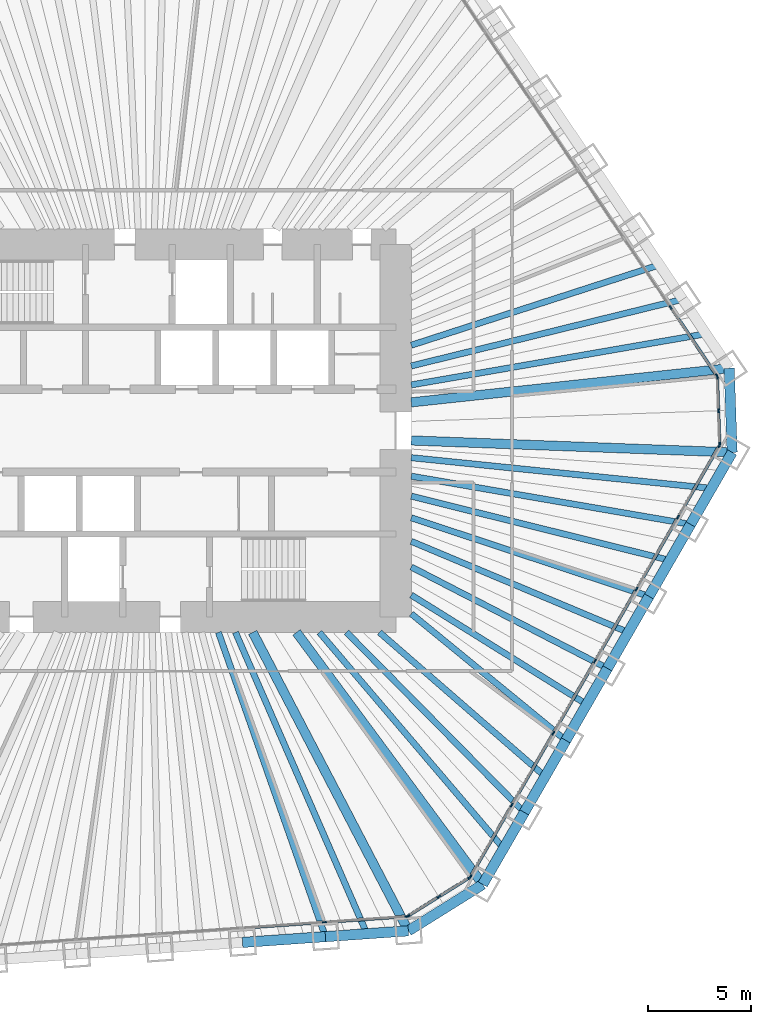
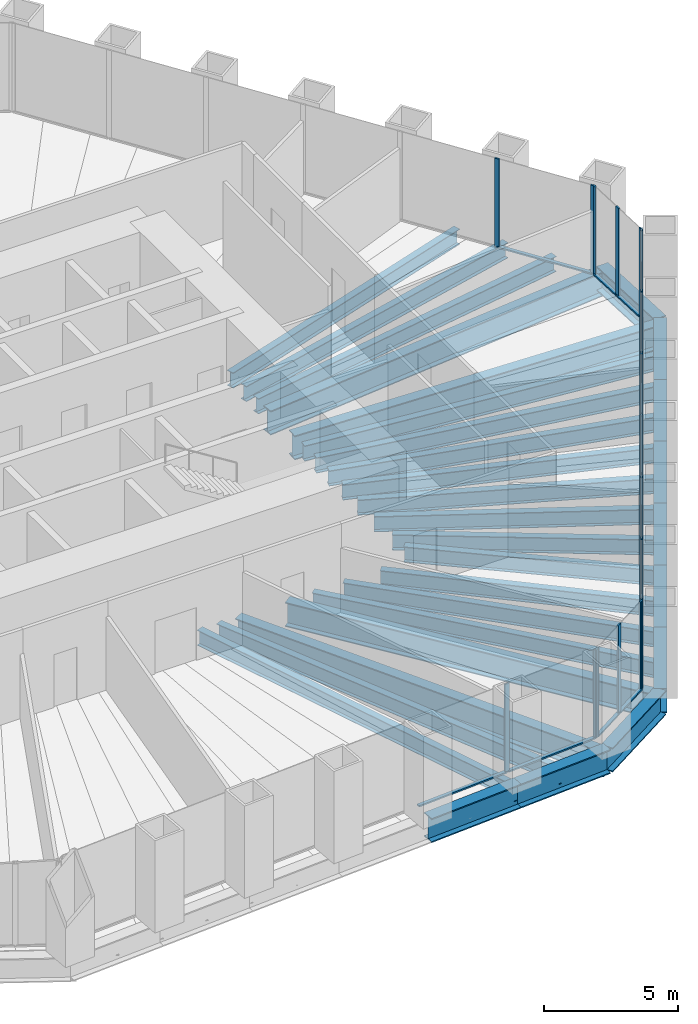
# One storey, part 4 of 13: 30 beams, 30 members, 5 elements without a shape of their own.
"""IFC4 building model written with IfcOpenShell, lengths in metres."""

from ifc_helpers import new_model, si_unit, direction, frame, origin, origin_2d, place, context, subcontext, project, spatial, rectangle, i_section, extrude, material, material_profile, profile_set, type_object, element, aggregate, save


model = new_model("IFC4")

# Units and contexts
model_context = context("Model", 3, precision=1e-05, world=origin(), true_north=direction((0.0, 1.0)))
body_context = subcontext(model_context, "Body", "Model", "MODEL_VIEW")
ifc_project = project(units=[si_unit("LENGTHUNIT", "METRE"), si_unit("AREAUNIT", "SQUARE_METRE"), si_unit("VOLUMEUNIT", "CUBIC_METRE"), si_unit("PLANEANGLEUNIT", "RADIAN"), si_unit("MASSUNIT", "GRAM", prefix="KILO")], contexts=[model_context])

# Site, building, storey
site_placement = place(None, origin())
site = spatial("IfcSite", under=ifc_project, at=site_placement, CompositionType="ELEMENT")
building_placement = place(site_placement, origin())
building = spatial("IfcBuilding", under=site, at=building_placement, Name="Qingtian Harvest Tower", CompositionType="ELEMENT")
storey_placement = place(building_placement, frame((0.0, 0.0, 128.199951171875)))
storey = spatial("IfcBuildingStorey", under=building, at=storey_placement, Name="L26", CompositionType="ELEMENT", Elevation=128.199951171875)

# Beams
ifc_material_1 = material(Name="Steel SM570MC", Category="steel")
ifc_material_profile_1 = material_profile(ifc_material_1, i_section(OverallWidth=0.449951171875, OverallDepth=1.10009765625, WebThickness=0.02197265625, FlangeThickness=0.044921875, at=origin_2d()), Name="H1100x450x22x45")
ifc_profile_set_1 = profile_set([ifc_material_profile_1], Name="Steel SM570MC")
beam_type_1 = type_object("IfcBeamType", Name="Corner floor beam FB8 H1100x450x22x45", PredefinedType="BEAM", material=ifc_profile_set_1)
beam_1_placement = place(storey_placement, frame((28.119384765625, 3.0185546875, -0.719970703125), z_axis=(-0.994287324052, -0.106736672374, 0.0), x_axis=(0.106736672374, -0.994287324052, 0.0)))
element("IfcBeam", 1, at=beam_1_placement, inside=storey, type_object=beam_type_1, Name="Floor beam FB8 NE6", PredefinedType="BEAM", context=body_context, shape_type="SweptSolid", body=[
    extrude(i_section(OverallWidth=0.449951171875, OverallDepth=1.10009765625, WebThickness=0.02197265625, FlangeThickness=0.044921875, at=origin_2d()), origin(), (0.0, 0.0, 1.0), 15.457763671875),
])
beam_2_placement = place(storey_placement, frame((28.261474609375, -1.049560546875, -0.719970703125), z_axis=(-0.999311425285, 0.03710357523, 0.0), x_axis=(-0.03710357523, -0.999311425285, 0.0)))
element("IfcBeam", 2, at=beam_2_placement, inside=storey, type_object=beam_type_1, Name="Floor beam FB8 SE0", PredefinedType="BEAM", context=body_context, shape_type="SweptSolid", body=[
    extrude(i_section(OverallWidth=0.449951171875, OverallDepth=1.10009765625, WebThickness=0.02197265625, FlangeThickness=0.044921875, at=origin_2d()), origin(), (0.0, 0.0, 1.0), 15.522216796875),
])
beam_3_placement = place(storey_placement, frame((16.204345703125, -21.933349609375, -0.719970703125), z_axis=(-0.594215666968, 0.804305751023, 0.0), x_axis=(-0.804305751023, -0.594215666968, 0.0)))
element("IfcBeam", 3, at=beam_3_placement, inside=storey, type_object=beam_type_1, Name="Floor beam FB8 SE6", PredefinedType="BEAM", context=body_context, shape_type="SweptSolid", body=[
    extrude(i_section(OverallWidth=0.449951171875, OverallDepth=1.10009765625, WebThickness=0.02197265625, FlangeThickness=0.044921875, at=origin_2d()), origin(), (0.0, 0.0, 1.0), 15.147705078125),
])
beam_4_placement = place(storey_placement, frame((12.610107421875, -24.17919921875, -0.719970703125), z_axis=(-0.462414751295, 0.886663745613, 0.0), x_axis=(-0.886663745613, -0.462414751295, 0.0)))
element("IfcBeam", 4, at=beam_4_placement, inside=storey, type_object=beam_type_1, Name="Floor beam FB8 S0", PredefinedType="BEAM", context=body_context, shape_type="SweptSolid", body=[
    extrude(i_section(OverallWidth=0.449951171875, OverallDepth=1.10009765625, WebThickness=0.02197265625, FlangeThickness=0.044921875, at=origin_2d()), origin(), (0.0, 0.0, 1.0), 16.273681640625),
])
ifc_material_2 = material(Name="Steel SN490B", Category="steel")
ifc_material_profile_2 = material_profile(ifc_material_2, i_section(OverallWidth=0.300048828125, OverallDepth=0.699951171875, WebThickness=0.012939453125, FlangeThickness=0.02392578125, at=origin_2d()), Name="H700x300x13x24")
ifc_profile_set_2 = profile_set([ifc_material_profile_2], Name="Steel SN490B")
beam_type_2 = type_object("IfcBeamType", Name="Floor beam FB2 H700x300x13x24", PredefinedType="BEAM", material=ifc_profile_set_2)
beam_5_placement = place(storey_placement, frame((25.8720703125, 6.3505859375, -0.52001953125), z_axis=(-0.971170997483, -0.2383839207, 0.0), x_axis=(0.2383839207, -0.971170997483, 0.0)))
element("IfcBeam", 5, at=beam_5_placement, inside=storey, type_object=beam_type_2, Name="Floor beam FB2 NE5", PredefinedType="BEAM", context=body_context, shape_type="SweptSolid", body=[
    extrude(i_section(OverallWidth=0.300048828125, OverallDepth=0.699951171875, WebThickness=0.012939453125, FlangeThickness=0.02392578125, at=origin_2d()), origin(), (0.0, 0.0, 1.0), 13.511474609375),
])
beam_6_placement = place(storey_placement, frame((26.251953125, -4.5302734375, -0.52001953125), z_axis=(-0.985433767107, 0.170059667895, 0.0), x_axis=(-0.170059667895, -0.985433767107, 0.0)))
element("IfcBeam", 6, at=beam_6_placement, inside=storey, type_object=beam_type_2, Name="Floor beam FB2 SE1", PredefinedType="BEAM", context=body_context, shape_type="SweptSolid", body=[
    extrude(i_section(OverallWidth=0.300048828125, OverallDepth=0.699951171875, WebThickness=0.012939453125, FlangeThickness=0.02392578125, at=origin_2d()), origin(), (0.0, 0.0, 1.0), 13.701416015625),
])
beam_7_placement = place(storey_placement, frame((24.242431640625, -8.010986328125, -0.52001953125), z_axis=(-0.949497047328, 0.31377596644, 0.0), x_axis=(-0.31377596644, -0.949497047328, 0.0)))
element("IfcBeam", 7, at=beam_7_placement, inside=storey, type_object=beam_type_2, Name="Floor beam FB2 SE2", PredefinedType="BEAM", context=body_context, shape_type="SweptSolid", body=[
    extrude(i_section(OverallWidth=0.300048828125, OverallDepth=0.699951171875, WebThickness=0.012939453125, FlangeThickness=0.02392578125, at=origin_2d()), origin(), (0.0, 0.0, 1.0), 12.103759765625),
])
beam_8_placement = place(storey_placement, frame((22.23291015625, -11.491455078125, -0.52001953125), z_axis=(-0.888354700773, 0.459157843899, 0.0), x_axis=(-0.459157843899, -0.888354700773, 0.0)))
element("IfcBeam", 8, at=beam_8_placement, inside=storey, type_object=beam_type_2, Name="Floor beam FB2 SE3", PredefinedType="BEAM", context=body_context, shape_type="SweptSolid", body=[
    extrude(i_section(OverallWidth=0.300048828125, OverallDepth=0.699951171875, WebThickness=0.012939453125, FlangeThickness=0.02392578125, at=origin_2d()), origin(), (0.0, 0.0, 1.0), 10.6748046875),
])
beam_9_placement = place(storey_placement, frame((20.223388671875, -14.97216796875, -0.52001953125), z_axis=(-0.773577716445, 0.633701441233, 0.0), x_axis=(-0.633701441233, -0.773577716445, 0.0)))
element("IfcBeam", 9, at=beam_9_placement, inside=storey, type_object=beam_type_2, Name="Floor beam FB2 SE4", PredefinedType="BEAM", context=body_context, shape_type="SweptSolid", body=[
    extrude(i_section(OverallWidth=0.300048828125, OverallDepth=0.699951171875, WebThickness=0.012939453125, FlangeThickness=0.02392578125, at=origin_2d()), origin(), (0.0, 0.0, 1.0), 9.660888671875),
])
beam_10_placement = place(storey_placement, frame((18.2138671875, -18.452880859375, -0.52001953125), z_axis=(-0.702479751847, 0.711703729262, 0.0), x_axis=(-0.711703729262, -0.702479751847, 0.0)))
element("IfcBeam", 10, at=beam_10_placement, inside=storey, type_object=beam_type_2, Name="Floor beam FB2 SE5", PredefinedType="BEAM", context=body_context, shape_type="SweptSolid", body=[
    extrude(i_section(OverallWidth=0.300048828125, OverallDepth=0.699951171875, WebThickness=0.012939453125, FlangeThickness=0.02392578125, at=origin_2d()), origin(), (0.0, 0.0, 1.0), 12.228271484375),
])
beam_11_placement = place(storey_placement, frame((8.600830078125, -24.459716796875, -0.52001953125), z_axis=(-0.331719146802, 0.943378189087, 0.0), x_axis=(-0.943378189087, -0.331719146802, 0.0)))
element("IfcBeam", 11, at=beam_11_placement, inside=storey, type_object=beam_type_2, Name="Floor beam FB2 S1", PredefinedType="BEAM", context=body_context, shape_type="SweptSolid", body=[
    extrude(i_section(OverallWidth=0.300048828125, OverallDepth=0.699951171875, WebThickness=0.012939453125, FlangeThickness=0.02392578125, at=origin_2d()), origin(), (0.0, 0.0, 1.0), 15.592529296875),
])
ifc_material_3 = material(Name="Steel SN490B", Category="steel")
ifc_material_profile_3 = material_profile(ifc_material_3, i_section(OverallWidth=0.300048828125, OverallDepth=0.699951171875, WebThickness=0.012939453125, FlangeThickness=0.02392578125, at=origin_2d()), Name="H700x300x13x24")
ifc_profile_set_3 = profile_set([ifc_material_profile_3], Name="Steel SN490B")
beam_type_3 = type_object("IfcBeamType", Name="Floor joist J2 H700x300x13x24", PredefinedType="JOIST", material=ifc_profile_set_3)
beam_12_placement = place(storey_placement, frame((24.748291015625, 8.016357421875, -0.52001953125), z_axis=(-0.951335907519, -0.308155790249, 0.0), x_axis=(0.308155790249, -0.951335907519, 0.0)))
element("IfcBeam", 12, at=beam_12_placement, inside=storey, type_object=beam_type_3, Name="Floor joist J2 NE4", PredefinedType="JOIST", context=body_context, shape_type="SweptSolid", body=[
    extrude(i_section(OverallWidth=0.300048828125, OverallDepth=0.699951171875, WebThickness=0.012939453125, FlangeThickness=0.02392578125, at=origin_2d()), origin(), (0.0, 0.0, 1.0), 12.612060546875),
])
beam_13_placement = place(storey_placement, frame((26.99560546875, 4.6845703125, -0.52001953125), z_axis=(-0.985273903188, -0.17098343691, 0.0), x_axis=(0.17098343691, -0.985273903188, 0.0)))
element("IfcBeam", 13, at=beam_13_placement, inside=storey, type_object=beam_type_3, Name="Floor joist J2 NE5", PredefinedType="JOIST", context=body_context, shape_type="SweptSolid", body=[
    extrude(i_section(OverallWidth=0.300048828125, OverallDepth=0.699951171875, WebThickness=0.012939453125, FlangeThickness=0.02392578125, at=origin_2d()), origin(), (0.0, 0.0, 1.0), 14.45849609375),
])
beam_14_placement = place(storey_placement, frame((27.2568359375, -2.7900390625, -0.52001953125), z_axis=(-0.994802418411, 0.101824104826, 0.0), x_axis=(-0.101824104826, -0.994802418411, 0.0)))
element("IfcBeam", 14, at=beam_14_placement, inside=storey, type_object=beam_type_3, Name="Floor joist J2 SE0", PredefinedType="JOIST", context=body_context, shape_type="SweptSolid", body=[
    extrude(i_section(OverallWidth=0.300048828125, OverallDepth=0.699951171875, WebThickness=0.012939453125, FlangeThickness=0.02392578125, at=origin_2d()), origin(), (0.0, 0.0, 1.0), 14.58251953125),
])
beam_15_placement = place(storey_placement, frame((25.247314453125, -6.2705078125, -0.52001953125), z_axis=(-0.970517179244, 0.241031958032, 0.0), x_axis=(-0.241031958032, -0.970517179244, 0.0)))
element("IfcBeam", 15, at=beam_15_placement, inside=storey, type_object=beam_type_3, Name="Floor joist J2 SE1", PredefinedType="JOIST", context=body_context, shape_type="SweptSolid", body=[
    extrude(i_section(OverallWidth=0.300048828125, OverallDepth=0.699951171875, WebThickness=0.012939453125, FlangeThickness=0.02392578125, at=origin_2d()), origin(), (0.0, 0.0, 1.0), 12.876953125),
])
beam_16_placement = place(storey_placement, frame((23.237548828125, -9.751220703125, -0.52001953125), z_axis=(-0.922104219626, 0.386941608189, 0.0), x_axis=(-0.386941608189, -0.922104219626, 0.0)))
element("IfcBeam", 16, at=beam_16_placement, inside=storey, type_object=beam_type_3, Name="Floor joist J2 SE2", PredefinedType="JOIST", context=body_context, shape_type="SweptSolid", body=[
    extrude(i_section(OverallWidth=0.300048828125, OverallDepth=0.699951171875, WebThickness=0.012939453125, FlangeThickness=0.02392578125, at=origin_2d()), origin(), (0.0, 0.0, 1.0), 11.37353515625),
])
beam_17_placement = place(storey_placement, frame((21.22802734375, -13.23193359375, -0.52001953125), z_axis=(-0.848631984892, 0.528983699389, 0.0), x_axis=(-0.528983699389, -0.848631984892, 0.0)))
element("IfcBeam", 17, at=beam_17_placement, inside=storey, type_object=beam_type_3, Name="Floor joist J2 SE3", PredefinedType="JOIST", context=body_context, shape_type="SweptSolid", body=[
    extrude(i_section(OverallWidth=0.300048828125, OverallDepth=0.699951171875, WebThickness=0.012939453125, FlangeThickness=0.02392578125, at=origin_2d()), origin(), (0.0, 0.0, 1.0), 9.990234375),
])
beam_18_placement = place(storey_placement, frame((19.218505859375, -16.71240234375, -0.52001953125), z_axis=(-0.754588679317, 0.656198083697, 0.0), x_axis=(-0.656198083697, -0.754588679317, 0.0)))
element("IfcBeam", 18, at=beam_18_placement, inside=storey, type_object=beam_type_3, Name="Floor joist J2 SE4", PredefinedType="JOIST", context=body_context, shape_type="SweptSolid", body=[
    extrude(i_section(OverallWidth=0.300048828125, OverallDepth=0.699951171875, WebThickness=0.012939453125, FlangeThickness=0.02392578125, at=origin_2d()), origin(), (0.0, 0.0, 1.0), 10.610107421875),
])
beam_19_placement = place(storey_placement, frame((17.208984375, -20.193115234375, -0.52001953125), z_axis=(-0.648631797865, 0.76110235238, 0.0), x_axis=(-0.76110235238, -0.648631797865, 0.0)))
element("IfcBeam", 19, at=beam_19_placement, inside=storey, type_object=beam_type_3, Name="Floor joist J2 SE5", PredefinedType="JOIST", context=body_context, shape_type="SweptSolid", body=[
    extrude(i_section(OverallWidth=0.300048828125, OverallDepth=0.699951171875, WebThickness=0.012939453125, FlangeThickness=0.02392578125, at=origin_2d()), origin(), (0.0, 0.0, 1.0), 13.720947265625),
])
beam_20_placement = place(storey_placement, frame((10.60546875, -24.3193359375, -0.52001953125), z_axis=(-0.399732363577, 0.916631898588, 0.0), x_axis=(-0.916631898588, -0.399732363577, 0.0)))
element("IfcBeam", 20, at=beam_20_placement, inside=storey, type_object=beam_type_3, Name="Floor joist J2 S0", PredefinedType="JOIST", context=body_context, shape_type="SweptSolid", body=[
    extrude(i_section(OverallWidth=0.300048828125, OverallDepth=0.699951171875, WebThickness=0.012939453125, FlangeThickness=0.02392578125, at=origin_2d()), origin(), (0.0, 0.0, 1.0), 15.89453125),
])

# Curtain wall, members
ifc_material_4 = material(Name="Bronze-anodised aluminium curtain wall", Category="aluminium")
curtain_wall_type = type_object("IfcCurtainWallType", Name="Curtain wall CW4 office", PredefinedType="USERDEFINED", material=ifc_material_4)
curtain_wall_1_placement = place(storey_placement, origin())
curtain_wall_1 = element("IfcCurtainWall", 21, at=curtain_wall_1_placement, inside=storey, type_object=curtain_wall_type, Name="Curtain wall CW4 L26 NE0-5", ObjectType="RECESSED CURTAIN WALL", PredefinedType="USERDEFINED")
ifc_material_5 = material(Name="Bronze-anodised aluminium mullion", Category="aluminium")
ifc_material_profile_4 = material_profile(ifc_material_5, rectangle(XDim=0.06494140625, YDim=0.199951171875, at=origin_2d()), Name="AL 65x200")
ifc_profile_set_4 = profile_set([ifc_material_profile_4], Name="Bronze-anodised aluminium mullion")
member_type_1 = type_object("IfcMemberType", Name="Mullion CWM 65x200", PredefinedType="MULLION", material=ifc_profile_set_4)
member_1_placement = place(storey_placement, frame((25.291748046875, 5.958984375, 0.0), z_axis=(0.0, 0.0, 1.0), x_axis=(0.829037572555, 0.559192903471, 0.0)))
member_1 = element("IfcMember", 22, at=member_1_placement, type_object=member_type_1, Name="CW4 mullion 6", PredefinedType="MULLION", context=body_context, shape_type="SweptSolid", body=[
    extrude(rectangle(XDim=0.06494140625, YDim=0.199951171875, at=origin_2d()), origin(), (0.0, 0.0, 1.0), 4.030029296875),
])
member_2_placement = place(storey_placement, frame((27.52099609375, 2.654052734375, 0.0), z_axis=(0.0, 0.0, 1.0), x_axis=(0.829037572555, 0.559192903471, 0.0)))
member_2 = element("IfcMember", 23, at=member_2_placement, type_object=member_type_1, Name="CW4 mullion 7", PredefinedType="MULLION", context=body_context, shape_type="SweptSolid", body=[
    extrude(rectangle(XDim=0.06494140625, YDim=0.199951171875, at=origin_2d()), origin(), (0.0, 0.0, 1.0), 4.030029296875),
])

curtain_wall_2_placement = place(storey_placement, origin())
curtain_wall_2 = element("IfcCurtainWall", 24, at=curtain_wall_2_placement, inside=storey, type_object=curtain_wall_type, Name="Curtain wall CW4 L26 NEC", ObjectType="RECESSED CURTAIN WALL", PredefinedType="USERDEFINED")
member_3_placement = place(storey_placement, frame((27.540283203125, 2.594482421875, 0.0), z_axis=(0.0, 0.0, 1.0), x_axis=(0.999390827019, 0.034899496703, 0.0)))
member_3 = element("IfcMember", 25, at=member_3_placement, type_object=member_type_1, Name="CW4 mullion 1", PredefinedType="MULLION", context=body_context, shape_type="SweptSolid", body=[
    extrude(rectangle(XDim=0.06494140625, YDim=0.199951171875, at=origin_2d()), origin(), (0.0, 0.0, 1.0), 4.030029296875),
])
member_4_placement = place(storey_placement, frame((27.59716796875, 0.963623046875, 0.0), z_axis=(0.0, 0.0, 1.0), x_axis=(0.999390827019, 0.034899496703, 0.0)))
member_4 = element("IfcMember", 26, at=member_4_placement, type_object=member_type_1, Name="CW4 mullion 2", PredefinedType="MULLION", context=body_context, shape_type="SweptSolid", body=[
    extrude(rectangle(XDim=0.06494140625, YDim=0.199951171875, at=origin_2d()), origin(), (0.0, 0.0, 1.0), 4.030029296875),
])
member_5_placement = place(storey_placement, frame((27.654052734375, -0.667236328125, 0.0), z_axis=(0.0, 0.0, 1.0), x_axis=(0.999390827019, 0.034899496703, 0.0)))
member_5 = element("IfcMember", 27, at=member_5_placement, type_object=member_type_1, Name="CW4 mullion 3", PredefinedType="MULLION", context=body_context, shape_type="SweptSolid", body=[
    extrude(rectangle(XDim=0.06494140625, YDim=0.199951171875, at=origin_2d()), origin(), (0.0, 0.0, 1.0), 4.030029296875),
])

curtain_wall_3_placement = place(storey_placement, origin())
curtain_wall_3 = element("IfcCurtainWall", 28, at=curtain_wall_3_placement, inside=storey, type_object=curtain_wall_type, Name="Curtain wall CW4 L26 SE0-5", ObjectType="RECESSED CURTAIN WALL", PredefinedType="USERDEFINED")
member_6_placement = place(storey_placement, frame((27.638916015625, -0.727783203125, 0.0), z_axis=(0.0, 0.0, 1.0), x_axis=(0.866025403784, -0.5, 0.0)))
member_6 = element("IfcMember", 29, at=member_6_placement, type_object=member_type_1, Name="CW4 mullion 1", PredefinedType="MULLION", context=body_context, shape_type="SweptSolid", body=[
    extrude(rectangle(XDim=0.06494140625, YDim=0.199951171875, at=origin_2d()), origin(), (0.0, 0.0, 1.0), 4.030029296875),
])
member_7_placement = place(storey_placement, frame((25.645751953125, -4.18017578125, 0.0), z_axis=(0.0, 0.0, 1.0), x_axis=(0.866025403784, -0.5, 0.0)))
member_7 = element("IfcMember", 30, at=member_7_placement, type_object=member_type_1, Name="CW4 mullion 2", PredefinedType="MULLION", context=body_context, shape_type="SweptSolid", body=[
    extrude(rectangle(XDim=0.06494140625, YDim=0.199951171875, at=origin_2d()), origin(), (0.0, 0.0, 1.0), 4.030029296875),
])
member_8_placement = place(storey_placement, frame((23.63623046875, -7.660888671875, 0.0), z_axis=(0.0, 0.0, 1.0), x_axis=(0.866025403784, -0.5, 0.0)))
member_8 = element("IfcMember", 31, at=member_8_placement, type_object=member_type_1, Name="CW4 mullion 3", PredefinedType="MULLION", context=body_context, shape_type="SweptSolid", body=[
    extrude(rectangle(XDim=0.06494140625, YDim=0.199951171875, at=origin_2d()), origin(), (0.0, 0.0, 1.0), 4.030029296875),
])
member_9_placement = place(storey_placement, frame((21.626708984375, -11.1416015625, 0.0), z_axis=(0.0, 0.0, 1.0), x_axis=(0.866025403784, -0.5, 0.0)))
member_9 = element("IfcMember", 32, at=member_9_placement, type_object=member_type_1, Name="CW4 mullion 4", PredefinedType="MULLION", context=body_context, shape_type="SweptSolid", body=[
    extrude(rectangle(XDim=0.06494140625, YDim=0.199951171875, at=origin_2d()), origin(), (0.0, 0.0, 1.0), 4.030029296875),
])
member_10_placement = place(storey_placement, frame((19.6171875, -14.6220703125, 0.0), z_axis=(0.0, 0.0, 1.0), x_axis=(0.866025403784, -0.5, 0.0)))
member_10 = element("IfcMember", 33, at=member_10_placement, type_object=member_type_1, Name="CW4 mullion 5", PredefinedType="MULLION", context=body_context, shape_type="SweptSolid", body=[
    extrude(rectangle(XDim=0.06494140625, YDim=0.199951171875, at=origin_2d()), origin(), (0.0, 0.0, 1.0), 4.030029296875),
])
member_11_placement = place(storey_placement, frame((17.607666015625, -18.102783203125, 0.0), z_axis=(0.0, 0.0, 1.0), x_axis=(0.866025403784, -0.5, 0.0)))
member_11 = element("IfcMember", 34, at=member_11_placement, type_object=member_type_1, Name="CW4 mullion 6", PredefinedType="MULLION", context=body_context, shape_type="SweptSolid", body=[
    extrude(rectangle(XDim=0.06494140625, YDim=0.199951171875, at=origin_2d()), origin(), (0.0, 0.0, 1.0), 4.030029296875),
])
member_12_placement = place(storey_placement, frame((15.6142578125, -21.55517578125, 0.0), z_axis=(0.0, 0.0, 1.0), x_axis=(0.866025403784, -0.5, 0.0)))
member_12 = element("IfcMember", 35, at=member_12_placement, type_object=member_type_1, Name="CW4 mullion 7", PredefinedType="MULLION", context=body_context, shape_type="SweptSolid", body=[
    extrude(rectangle(XDim=0.06494140625, YDim=0.199951171875, at=origin_2d()), origin(), (0.0, 0.0, 1.0), 4.030029296875),
])

curtain_wall_4_placement = place(storey_placement, origin())
curtain_wall_4 = element("IfcCurtainWall", 36, at=curtain_wall_4_placement, inside=storey, type_object=curtain_wall_type, Name="Curtain wall CW4 L26 SEC", ObjectType="RECESSED CURTAIN WALL", PredefinedType="USERDEFINED")
member_13_placement = place(storey_placement, frame((15.570556640625, -21.6005859375, 0.0), z_axis=(0.0, 0.0, 1.0), x_axis=(0.529919264233, -0.848048096156, 0.0)))
member_13 = element("IfcMember", 37, at=member_13_placement, type_object=member_type_1, Name="CW4 mullion 1", PredefinedType="MULLION", context=body_context, shape_type="SweptSolid", body=[
    extrude(rectangle(XDim=0.06494140625, YDim=0.199951171875, at=origin_2d()), origin(), (0.0, 0.0, 1.0), 4.030029296875),
])
member_14_placement = place(storey_placement, frame((14.07958984375, -22.5322265625, 0.0), z_axis=(0.0, 0.0, 1.0), x_axis=(0.529919264233, -0.848048096156, 0.0)))
member_14 = element("IfcMember", 38, at=member_14_placement, type_object=member_type_1, Name="CW4 mullion 2", PredefinedType="MULLION", context=body_context, shape_type="SweptSolid", body=[
    extrude(rectangle(XDim=0.06494140625, YDim=0.199951171875, at=origin_2d()), origin(), (0.0, 0.0, 1.0), 4.030029296875),
])
member_15_placement = place(storey_placement, frame((12.5888671875, -23.4638671875, 0.0), z_axis=(0.0, 0.0, 1.0), x_axis=(0.529919264233, -0.848048096156, 0.0)))
member_15 = element("IfcMember", 39, at=member_15_placement, type_object=member_type_1, Name="CW4 mullion 3", PredefinedType="MULLION", context=body_context, shape_type="SweptSolid", body=[
    extrude(rectangle(XDim=0.06494140625, YDim=0.199951171875, at=origin_2d()), origin(), (0.0, 0.0, 1.0), 4.030029296875),
])

curtain_wall_5_placement = place(storey_placement, origin())
curtain_wall_5 = element("IfcCurtainWall", 40, at=curtain_wall_5_placement, inside=storey, type_object=curtain_wall_type, Name="Curtain wall CW4 L26 S0-5", ObjectType="RECESSED CURTAIN WALL", PredefinedType="USERDEFINED")
member_16_placement = place(storey_placement, frame((12.52880859375, -23.483154296875, 0.0), z_axis=(0.0, 0.0, 1.0), x_axis=(0.069756473744, -0.99756405026, 0.0)))
member_16 = element("IfcMember", 41, at=member_16_placement, type_object=member_type_1, Name="CW4 mullion 1", PredefinedType="MULLION", context=body_context, shape_type="SweptSolid", body=[
    extrude(rectangle(XDim=0.06494140625, YDim=0.199951171875, at=origin_2d()), origin(), (0.0, 0.0, 1.0), 4.030029296875),
])
member_17_placement = place(storey_placement, frame((8.552001953125, -23.76123046875, 0.0), z_axis=(0.0, 0.0, 1.0), x_axis=(0.069756473744, -0.99756405026, 0.0)))
member_17 = element("IfcMember", 42, at=member_17_placement, type_object=member_type_1, Name="CW4 mullion 2", PredefinedType="MULLION", context=body_context, shape_type="SweptSolid", body=[
    extrude(rectangle(XDim=0.06494140625, YDim=0.199951171875, at=origin_2d()), origin(), (0.0, 0.0, 1.0), 4.030029296875),
])

# Beams
ifc_material_6 = material(Name="Steel SM570MC", Category="steel")
ifc_material_profile_5 = material_profile(ifc_material_6, i_section(OverallWidth=0.5, OverallDepth=1.10009765625, WebThickness=0.02490234375, FlangeThickness=0.050048828125, at=origin_2d()), Name="H1100x500x25x50")
ifc_profile_set_5 = profile_set([ifc_material_profile_5], Name="Steel SM570MC")
beam_type_4 = type_object("IfcBeamType", Name="Spandrel beam SB2 H1100x500x25x50", PredefinedType="SPANDREL", material=ifc_profile_set_5)
beam_21_placement = place(storey_placement, frame((28.119384765625, 3.0185546875, -0.550048828125), z_axis=(0.03490639867, -0.999390585973, 0.0), x_axis=(0.999390585973, 0.03490639867, 0.0)))
element("IfcBeam", 43, at=beam_21_placement, inside=storey, type_object=beam_type_4, Name="Spandrel SB2 NEC", PredefinedType="SPANDREL", context=body_context, shape_type="SweptSolid", body=[
    extrude(i_section(OverallWidth=0.5, OverallDepth=1.10009765625, WebThickness=0.02490234375, FlangeThickness=0.050048828125, at=origin_2d()), origin(), (0.0, 0.0, 1.0), 4.070556640625),
])
for number, where, z_axis, x_axis, name in (
    (44, (28.261474609375, -1.049560546875, -0.550048828125), (-0.499987116613, -0.866032841884, 0.0), (0.866032841884, -0.499987116613, 0.0), "Spandrel SB2 SE0"),
    (45, (26.251953125, -4.5302734375, -0.550048828125), (-0.499987116613, -0.866032841884, 0.0), (0.866032841884, -0.499987116613, 0.0), "Spandrel SB2 SE1"),
    (46, (24.242431640625, -8.010986328125, -0.550048828125), (-0.500013420409, -0.866017655369, 0.0), (0.866017655369, -0.500013420409, 0.0), "Spandrel SB2 SE2"),
    (47, (22.23291015625, -11.491455078125, -0.550048828125), (-0.499987116613, -0.866032841884, 0.0), (0.866032841884, -0.499987116613, 0.0), "Spandrel SB2 SE3"),
    (48, (20.223388671875, -14.97216796875, -0.550048828125), (-0.499987116613, -0.866032841884, 0.0), (0.866032841884, -0.499987116613, 0.0), "Spandrel SB2 SE4"),
    (49, (18.2138671875, -18.452880859375, -0.550048828125), (-0.500013420409, -0.866017655369, 0.0), (0.866017655369, -0.500013420409, 0.0), "Spandrel SB2 SE5"),
):
    element("IfcBeam", number, at=place(storey_placement, frame(where, z_axis=z_axis, x_axis=x_axis)), inside=storey, type_object=beam_type_4, Name=name, PredefinedType="SPANDREL", context=body_context, shape_type="SweptSolid", body=[
        extrude(i_section(OverallWidth=0.5, OverallDepth=1.10009765625, WebThickness=0.02490234375, FlangeThickness=0.050048828125, at=origin_2d()), origin(), (0.0, 0.0, 1.0), 4.01904296875),
    ])
beam_22_placement = place(storey_placement, frame((16.204345703125, -21.933349609375, -0.550048828125), z_axis=(-0.848056550838, -0.529905733675, 0.0), x_axis=(0.529905733675, -0.848056550838, 0.0)))
element("IfcBeam", 50, at=beam_22_placement, inside=storey, type_object=beam_type_4, Name="Spandrel SB2 SEC", PredefinedType="SPANDREL", context=body_context, shape_type="SweptSolid", body=[
    extrude(i_section(OverallWidth=0.5, OverallDepth=1.10009765625, WebThickness=0.02490234375, FlangeThickness=0.050048828125, at=origin_2d()), origin(), (0.0, 0.0, 1.0), 4.23828125),
])
for number, where, z_axis, x_axis, name in (
    (51, (12.610107421875, -24.17919921875, -0.550048828125), (-0.997561251588, -0.069796485086, 0.0), (0.069796485086, -0.997561251588, 0.0), "Spandrel SB2 S0"),
    (52, (8.600830078125, -24.459716796875, -0.550048828125), (-0.997565479251, -0.069736035208, 0.0), (0.069736035208, -0.997565479251, 0.0), "Spandrel SB2 S1"),
):
    element("IfcBeam", number, at=place(storey_placement, frame(where, z_axis=z_axis, x_axis=x_axis)), inside=storey, type_object=beam_type_4, Name=name, PredefinedType="SPANDREL", context=body_context, shape_type="SweptSolid", body=[
        extrude(i_section(OverallWidth=0.5, OverallDepth=1.10009765625, WebThickness=0.02490234375, FlangeThickness=0.050048828125, at=origin_2d()), origin(), (0.0, 0.0, 1.0), 4.01904296875),
    ])

# Member
ifc_material_7 = material(Name="Bronze-anodised aluminium transom", Category="aluminium")
ifc_material_profile_6 = material_profile(ifc_material_7, rectangle(XDim=0.14990234375, YDim=0.06494140625, at=origin_2d()), Name="AL 65x150")
ifc_profile_set_6 = profile_set([ifc_material_profile_6], Name="Bronze-anodised aluminium transom")
member_type_2 = type_object("IfcMemberType", Name="Transom CWT 65x150", PredefinedType="USERDEFINED", material=ifc_profile_set_6)
member_18_placement = place(storey_placement, frame((25.309814453125, 5.93212890625, 0.032470703125), z_axis=(0.559174507936, -0.829049980203, 0.0), x_axis=(0.829049980203, 0.559174507936, 0.0)))
member_18 = element("IfcMember", 53, at=member_18_placement, type_object=member_type_2, Name="CW4 transom 6.1", ObjectType="TRANSOM", PredefinedType="USERDEFINED", context=body_context, shape_type="SweptSolid", body=[
    extrude(rectangle(XDim=0.14990234375, YDim=0.06494140625, at=origin_2d()), origin(), (0.0, 0.0, 1.0), 3.921630859375),
])

aggregate(curtain_wall_1, [member_1, member_2, member_18])

member_19_placement = place(storey_placement, frame((27.541259765625, 2.56201171875, 0.032470703125), z_axis=(0.034902326647, -0.999390728191, 0.0), x_axis=(0.999390728191, 0.034902326647, 0.0)))
member_19 = element("IfcMember", 54, at=member_19_placement, type_object=member_type_2, Name="CW4 transom 1.1", ObjectType="TRANSOM", PredefinedType="USERDEFINED", context=body_context, shape_type="SweptSolid", body=[
    extrude(rectangle(XDim=0.14990234375, YDim=0.06494140625, at=origin_2d()), origin(), (0.0, 0.0, 1.0), 1.56689453125),
])

member_20_placement = place(storey_placement, frame((27.598388671875, 0.93115234375, 0.032470703125), z_axis=(0.034902326647, -0.999390728191, 0.0), x_axis=(0.999390728191, 0.034902326647, 0.0)))
member_20 = element("IfcMember", 55, at=member_20_placement, type_object=member_type_2, Name="CW4 transom 2.1", ObjectType="TRANSOM", PredefinedType="USERDEFINED", context=body_context, shape_type="SweptSolid", body=[
    extrude(rectangle(XDim=0.14990234375, YDim=0.06494140625, at=origin_2d()), origin(), (0.0, 0.0, 1.0), 1.56689453125),
])

aggregate(curtain_wall_2, [member_3, member_4, member_5, member_19, member_20])

member_21_placement = place(storey_placement, frame((27.622802734375, -0.755859375, 0.032470703125), z_axis=(-0.499975738995, -0.866039410429, 0.0), x_axis=(0.866039410429, -0.499975738995, 0.0)))
member_21 = element("IfcMember", 56, at=member_21_placement, type_object=member_type_2, Name="CW4 transom 1.1", ObjectType="TRANSOM", PredefinedType="USERDEFINED", context=body_context, shape_type="SweptSolid", body=[
    extrude(rectangle(XDim=0.14990234375, YDim=0.06494140625, at=origin_2d()), origin(), (0.0, 0.0, 1.0), 3.921630859375),
])

member_22_placement = place(storey_placement, frame((25.62939453125, -4.20849609375, 0.032470703125), z_axis=(-0.500003941941, -0.866023127892, 0.0), x_axis=(0.866023127892, -0.500003941941, 0.0)))
member_22 = element("IfcMember", 57, at=member_22_placement, type_object=member_type_2, Name="CW4 transom 2.1", ObjectType="TRANSOM", PredefinedType="USERDEFINED", context=body_context, shape_type="SweptSolid", body=[
    extrude(rectangle(XDim=0.14990234375, YDim=0.06494140625, at=origin_2d()), origin(), (0.0, 0.0, 1.0), 3.9541015625),
])

member_23_placement = place(storey_placement, frame((23.619873046875, -7.68896484375, 0.032470703125), z_axis=(-0.500003941941, -0.866023127892, 0.0), x_axis=(0.866023127892, -0.500003941941, 0.0)))
member_23 = element("IfcMember", 58, at=member_23_placement, type_object=member_type_2, Name="CW4 transom 3.1", ObjectType="TRANSOM", PredefinedType="USERDEFINED", context=body_context, shape_type="SweptSolid", body=[
    extrude(rectangle(XDim=0.14990234375, YDim=0.06494140625, at=origin_2d()), origin(), (0.0, 0.0, 1.0), 3.9541015625),
])

member_24_placement = place(storey_placement, frame((21.6103515625, -11.169677734375, 0.032470703125), z_axis=(-0.500003941941, -0.866023127892, 0.0), x_axis=(0.866023127892, -0.500003941941, 0.0)))
member_24 = element("IfcMember", 59, at=member_24_placement, type_object=member_type_2, Name="CW4 transom 4.1", ObjectType="TRANSOM", PredefinedType="USERDEFINED", context=body_context, shape_type="SweptSolid", body=[
    extrude(rectangle(XDim=0.14990234375, YDim=0.06494140625, at=origin_2d()), origin(), (0.0, 0.0, 1.0), 3.9541015625),
])

member_25_placement = place(storey_placement, frame((19.600830078125, -14.650390625, 0.032470703125), z_axis=(-0.500003941941, -0.866023127892, 0.0), x_axis=(0.866023127892, -0.500003941941, 0.0)))
member_25 = element("IfcMember", 60, at=member_25_placement, type_object=member_type_2, Name="CW4 transom 5.1", ObjectType="TRANSOM", PredefinedType="USERDEFINED", context=body_context, shape_type="SweptSolid", body=[
    extrude(rectangle(XDim=0.14990234375, YDim=0.06494140625, at=origin_2d()), origin(), (0.0, 0.0, 1.0), 3.9541015625),
])

member_26_placement = place(storey_placement, frame((17.59130859375, -18.130859375, 0.032470703125), z_axis=(-0.499975738995, -0.866039410429, 0.0), x_axis=(0.866039410429, -0.499975738995, 0.0)))
member_26 = element("IfcMember", 61, at=member_26_placement, type_object=member_type_2, Name="CW4 transom 6.1", ObjectType="TRANSOM", PredefinedType="USERDEFINED", context=body_context, shape_type="SweptSolid", body=[
    extrude(rectangle(XDim=0.14990234375, YDim=0.06494140625, at=origin_2d()), origin(), (0.0, 0.0, 1.0), 3.921630859375),
])

aggregate(curtain_wall_3, [member_6, member_7, member_8, member_9, member_10, member_11, member_12, member_21, member_22, member_23, member_24, member_25, member_26])

member_27_placement = place(storey_placement, frame((15.54296875, -21.617919921875, 0.032470703125), z_axis=(-0.848103609743, -0.529830413568, 0.0), x_axis=(0.529830413568, -0.848103609743, 0.0)))
member_27 = element("IfcMember", 62, at=member_27_placement, type_object=member_type_2, Name="CW4 transom 1.1", ObjectType="TRANSOM", PredefinedType="USERDEFINED", context=body_context, shape_type="SweptSolid", body=[
    extrude(rectangle(XDim=0.14990234375, YDim=0.06494140625, at=origin_2d()), origin(), (0.0, 0.0, 1.0), 1.69287109375),
])

member_28_placement = place(storey_placement, frame((14.052001953125, -22.54931640625, 0.032470703125), z_axis=(-0.847998304005, -0.529998940003, 0.0), x_axis=(0.529998940003, -0.847998304005, 0.0)))
member_28 = element("IfcMember", 63, at=member_28_placement, type_object=member_type_2, Name="CW4 transom 2.1", ObjectType="TRANSOM", PredefinedType="USERDEFINED", context=body_context, shape_type="SweptSolid", body=[
    extrude(rectangle(XDim=0.14990234375, YDim=0.06494140625, at=origin_2d()), origin(), (0.0, 0.0, 1.0), 1.69287109375),
])

aggregate(curtain_wall_4, [member_13, member_14, member_15, member_27, member_28])

member_29_placement = place(storey_placement, frame((12.496337890625, -23.485595703125, 0.032470703125), z_axis=(-0.99756594446, -0.069729380128, 0.0), x_axis=(0.069729380128, -0.99756594446, 0.0)))
member_29 = element("IfcMember", 64, at=member_29_placement, type_object=member_type_2, Name="CW4 transom 1.1", ObjectType="TRANSOM", PredefinedType="USERDEFINED", context=body_context, shape_type="SweptSolid", body=[
    extrude(rectangle(XDim=0.14990234375, YDim=0.06494140625, at=origin_2d()), origin(), (0.0, 0.0, 1.0), 3.92138671875),
])

member_30_placement = place(storey_placement, frame((8.51953125, -23.763671875, 0.032470703125), z_axis=(-0.997567218353, -0.069711153102, 0.0), x_axis=(0.069711153102, -0.997567218353, 0.0)))
member_30 = element("IfcMember", 65, at=member_30_placement, type_object=member_type_2, Name="CW4 transom 2.1", ObjectType="TRANSOM", PredefinedType="USERDEFINED", context=body_context, shape_type="SweptSolid", body=[
    extrude(rectangle(XDim=0.14990234375, YDim=0.06494140625, at=origin_2d()), origin(), (0.0, 0.0, 1.0), 3.953857421875),
])

aggregate(curtain_wall_5, [member_16, member_17, member_29, member_30])

save(model, "model.ifc")
